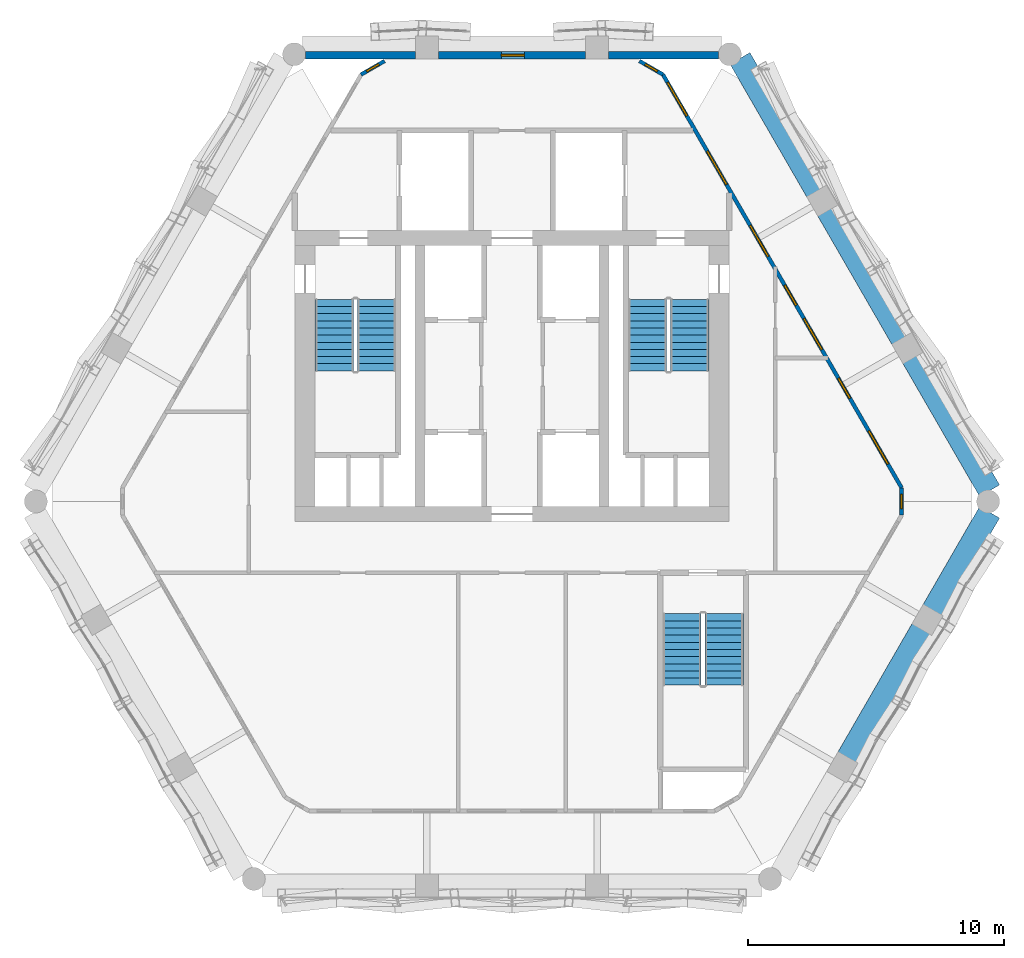
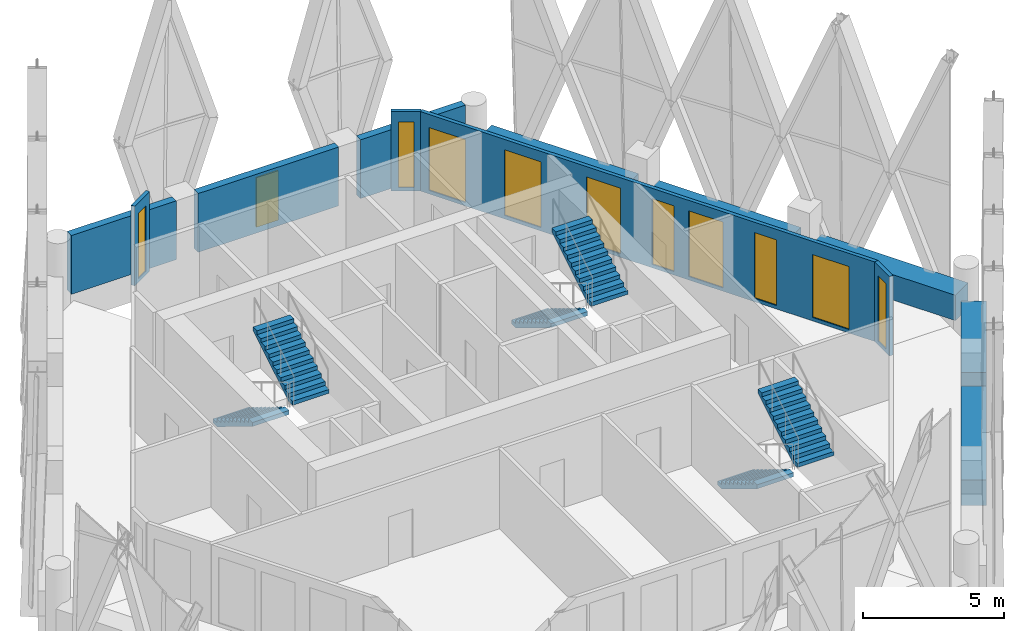
# One storey, part 15 of 21: 12 walls, 11 windows, 6 stair flights, 11 openings, 3 elements without a shape of their own.
"""IFC4 building model written with IfcOpenShell, lengths in metres."""

from ifc_helpers import new_model, si_unit, direction, frame, frame_2d, origin, place, context, subcontext, project, spatial, polyline, rectangle, outline, extrude, material, layer, layer_set, type_object, element, fill, aggregate, save


model = new_model("IFC4")

# Units and contexts
model_context = context("Model", 3, precision=1e-05, world=origin(), true_north=direction((0.0, 1.0)))
body_context = subcontext(model_context, "Body", "Model", "MODEL_VIEW")
ifc_project = project(units=[si_unit("LENGTHUNIT", "METRE"), si_unit("AREAUNIT", "SQUARE_METRE"), si_unit("VOLUMEUNIT", "CUBIC_METRE"), si_unit("PLANEANGLEUNIT", "RADIAN"), si_unit("MASSUNIT", "GRAM", prefix="KILO")], contexts=[model_context])

# Site, building, storey
site_placement = place(None, origin())
site = spatial("IfcSite", under=ifc_project, at=site_placement, CompositionType="ELEMENT")
building_placement = place(site_placement, origin())
building = spatial("IfcBuilding", under=site, at=building_placement, Name="Ostrander Bayou Hotel Tower", CompositionType="ELEMENT")
storey_placement = place(building_placement, frame((0.0, 0.0, 256.25)))
storey = spatial("IfcBuildingStorey", under=building, at=storey_placement, Name="L63", CompositionType="ELEMENT", Elevation=256.25)

# Wall, openings, windows
ifc_material_1 = material(Name="Aluminium framed insulated wall", Category="aluminium")
ifc_layer_1 = layer(ifc_material_1, 0.14990234375)
ifc_layer_set_1 = layer_set([ifc_layer_1], Name="GW1 glass-line wall 150 mm")
wall_type_1 = type_object("IfcWallType", Name="GW1 glass-line wall 150 mm", PredefinedType="SOLIDWALL", material=ifc_layer_set_1)
wall_1_placement = place(storey_placement, frame((15.245849609375, -0.37841796875, 0.0), z_axis=(0.0, 0.0, 1.0), x_axis=(-0.500006153997, 0.866021850744, 0.0)))
wall_1 = element("IfcWall", 1, at=wall_1_placement, inside=storey, type_object=wall_type_1, Name="GW1 L63 NE 1", PredefinedType="SOLIDWALL", context=body_context, shape_type="SweptSolid", body=[
    extrude(rectangle(XDim=18.672607421875, YDim=0.14990234375, at=frame_2d((9.33642578125, 0.0))), origin(), (0.0, 0.0, 1.0), 3.449951171875),
])
opening_1_placement = place(wall_1_placement, frame((4.05078125, 0.0, 0.14990234375)))
opening_1 = element("IfcOpeningElement", 2, at=opening_1_placement, cuts=wall_1, Name="Opening W18", PredefinedType="OPENING", context=body_context, shape_type="SweptSolid", body=[
    extrude(rectangle(XDim=0.89990234375, YDim=2.85009765625, at=frame_2d((0.449951171875, 1.425048828125))), frame((0.0, 0.074951171875, 0.0), z_axis=(0.0, -1.0, 0.0), x_axis=(1.0, 0.0, 0.0)), (0.0, 0.0, 1.0), 0.14990234375),
])
opening_2_placement = place(wall_1_placement, frame((6.250732421875, 0.0, 0.14990234375)))
opening_2 = element("IfcOpeningElement", 3, at=opening_2_placement, cuts=wall_1, Name="Opening W14", PredefinedType="OPENING", context=body_context, shape_type="SweptSolid", body=[
    extrude(rectangle(XDim=1.39990234375, YDim=2.85009765625, at=frame_2d((0.699951171875, 1.425048828125))), frame((0.0, 0.074951171875, 0.0), z_axis=(0.0, -1.0, 0.0), x_axis=(1.0, 0.0, 0.0)), (0.0, 0.0, 1.0), 0.14990234375),
])
opening_3_placement = place(wall_1_placement, frame((8.250732421875, 0.0, 0.14990234375)))
opening_3 = element("IfcOpeningElement", 4, at=opening_3_placement, cuts=wall_1, Name="Opening W18", PredefinedType="OPENING", context=body_context, shape_type="SweptSolid", body=[
    extrude(rectangle(XDim=0.89990234375, YDim=2.85009765625, at=frame_2d((0.449951171875, 1.425048828125))), frame((0.0, 0.074951171875, 0.0), z_axis=(0.0, -1.0, 0.0), x_axis=(1.0, 0.0, 0.0)), (0.0, 0.0, 1.0), 0.14990234375),
])
opening_4_placement = place(wall_1_placement, frame((10.45068359375, 0.0, 0.14990234375)))
opening_4 = element("IfcOpeningElement", 5, at=opening_4_placement, cuts=wall_1, Name="Opening W14", PredefinedType="OPENING", context=body_context, shape_type="SweptSolid", body=[
    extrude(rectangle(XDim=1.39990234375, YDim=2.85009765625, at=frame_2d((0.699951171875, 1.425048828125))), frame((0.0, 0.074951171875, 0.0), z_axis=(0.0, -1.0, 0.0), x_axis=(1.0, 0.0, 0.0)), (0.0, 0.0, 1.0), 0.14990234375),
])
opening_5_placement = place(wall_1_placement, frame((13.712158203125, 0.0, 0.14990234375)))
opening_5 = element("IfcOpeningElement", 6, at=opening_5_placement, cuts=wall_1, Name="Opening W4", PredefinedType="OPENING", context=body_context, shape_type="SweptSolid", body=[
    extrude(rectangle(XDim=1.5, YDim=2.85009765625, at=frame_2d((0.75, 1.425048828125))), frame((0.0, 0.074951171875, 0.0), z_axis=(0.0, -1.0, 0.0), x_axis=(1.0, 0.0, 0.0)), (0.0, 0.0, 1.0), 0.14990234375),
])
opening_6_placement = place(wall_1_placement, frame((1.0751953125, 0.0, 0.14990234375)))
opening_6 = element("IfcOpeningElement", 7, at=opening_6_placement, cuts=wall_1, Name="Opening W4", PredefinedType="OPENING", context=body_context, shape_type="SweptSolid", body=[
    extrude(rectangle(XDim=1.5, YDim=2.72998046875, at=frame_2d((0.75, 1.364990234375))), frame((0.0, 0.074951171875, 0.0), z_axis=(0.0, -1.0, 0.0), x_axis=(1.0, 0.0, 0.0)), (0.0, 0.0, 1.0), 0.14990234375),
])
opening_7_placement = place(wall_1_placement, frame((16.811767578125, 0.0, 0.14990234375)))
opening_7 = element("IfcOpeningElement", 8, at=opening_7_placement, cuts=wall_1, Name="Opening W4", PredefinedType="OPENING", context=body_context, shape_type="SweptSolid", body=[
    extrude(rectangle(XDim=1.5, YDim=2.72998046875, at=frame_2d((0.75, 1.364990234375))), frame((0.0, 0.074951171875, 0.0), z_axis=(0.0, -1.0, 0.0), x_axis=(1.0, 0.0, 0.0)), (0.0, 0.0, 1.0), 0.14990234375),
])
ifc_material_2 = material(Name="Aluminium and clear glass", Category="aluminium")
window_type_1 = type_object("IfcWindowType", Name="W14 fixed window 1400 mm, bath bay, zone 4", PartitioningType="SINGLE_PANEL", PredefinedType="WINDOW", material=ifc_material_2)
window_1_placement = place(opening_2_placement, origin())
window_1 = element("IfcWindow", 9, at=window_1_placement, inside=storey, type_object=window_type_1, Name="W14 L63 NE 2", OverallHeight=2.85009765625, OverallWidth=1.39990234375, PartitioningType="SINGLE_PANEL", PredefinedType="WINDOW", context=body_context, shape_type="SweptSolid", body=[
    extrude(rectangle(XDim=1.39990234375, YDim=2.85009765625, at=frame_2d((0.699951171875, 1.425048828125))), frame((0.0, 0.030029296875, 0.0), z_axis=(0.0, -1.0, 0.0), x_axis=(1.0, 0.0, 0.0)), (0.0, 0.0, 1.0), 0.06005859375),
])
fill(opening_2, window_1)
window_2_placement = place(opening_4_placement, origin())
window_2 = element("IfcWindow", 10, at=window_2_placement, inside=storey, type_object=window_type_1, Name="W14 L63 NE 3", OverallHeight=2.85009765625, OverallWidth=1.39990234375, PartitioningType="SINGLE_PANEL", PredefinedType="WINDOW", context=body_context, shape_type="SweptSolid", body=[
    extrude(rectangle(XDim=1.39990234375, YDim=2.85009765625, at=frame_2d((0.699951171875, 1.425048828125))), frame((0.0, 0.030029296875, 0.0), z_axis=(0.0, -1.0, 0.0), x_axis=(1.0, 0.0, 0.0)), (0.0, 0.0, 1.0), 0.06005859375),
])
fill(opening_4, window_2)
ifc_material_3 = material(Name="Aluminium and clear glass", Category="aluminium")
window_type_2 = type_object("IfcWindowType", Name="W18 window 900 mm, zone 4", PartitioningType="SINGLE_PANEL", PredefinedType="WINDOW", material=ifc_material_3)
window_3_placement = place(opening_1_placement, origin())
window_3 = element("IfcWindow", 11, at=window_3_placement, inside=storey, type_object=window_type_2, Name="W18 L63 NE 2", OverallHeight=2.85009765625, OverallWidth=0.89990234375, PartitioningType="SINGLE_PANEL", PredefinedType="WINDOW", context=body_context, shape_type="SweptSolid", body=[
    extrude(rectangle(XDim=0.89990234375, YDim=2.85009765625, at=frame_2d((0.449951171875, 1.425048828125))), frame((0.0, 0.030029296875, 0.0), z_axis=(0.0, -1.0, 0.0), x_axis=(1.0, 0.0, 0.0)), (0.0, 0.0, 1.0), 0.06005859375),
])
fill(opening_1, window_3)
window_4_placement = place(opening_3_placement, origin())
window_4 = element("IfcWindow", 12, at=window_4_placement, inside=storey, type_object=window_type_2, Name="W18 L63 NE 3", OverallHeight=2.85009765625, OverallWidth=0.89990234375, PartitioningType="SINGLE_PANEL", PredefinedType="WINDOW", context=body_context, shape_type="SweptSolid", body=[
    extrude(rectangle(XDim=0.89990234375, YDim=2.85009765625, at=frame_2d((0.449951171875, 1.425048828125))), frame((0.0, 0.030029296875, 0.0), z_axis=(0.0, -1.0, 0.0), x_axis=(1.0, 0.0, 0.0)), (0.0, 0.0, 1.0), 0.06005859375),
])
fill(opening_3, window_4)
ifc_material_4 = material(Name="Aluminium and clear glass", Category="aluminium")
window_type_3 = type_object("IfcWindowType", Name="W4 fixed window 1500 mm, zone 4", PartitioningType="SINGLE_PANEL", PredefinedType="WINDOW", material=ifc_material_4)
window_5_placement = place(opening_5_placement, origin())
window_5 = element("IfcWindow", 13, at=window_5_placement, inside=storey, type_object=window_type_3, Name="W4 L63 NE 4", OverallHeight=2.85009765625, OverallWidth=1.5, PartitioningType="SINGLE_PANEL", PredefinedType="WINDOW", context=body_context, shape_type="SweptSolid", body=[
    extrude(rectangle(XDim=1.5, YDim=2.85009765625, at=frame_2d((0.75, 1.425048828125))), frame((0.0, 0.030029296875, 0.0), z_axis=(0.0, -1.0, 0.0), x_axis=(1.0, 0.0, 0.0)), (0.0, 0.0, 1.0), 0.06005859375),
])
fill(opening_5, window_5)
window_6_placement = place(opening_6_placement, origin())
window_6 = element("IfcWindow", 14, at=window_6_placement, inside=storey, type_object=window_type_3, Name="W4 L63 NE E11", OverallHeight=2.72998046875, OverallWidth=1.5, PartitioningType="SINGLE_PANEL", PredefinedType="WINDOW", context=body_context, shape_type="SweptSolid", body=[
    extrude(rectangle(XDim=1.5, YDim=2.72998046875, at=frame_2d((0.75, 1.364990234375))), frame((0.0, 0.030029296875, 0.0), z_axis=(0.0, -1.0, 0.0), x_axis=(1.0, 0.0, 0.0)), (0.0, 0.0, 1.0), 0.06005859375),
])
fill(opening_6, window_6)
window_7_placement = place(opening_7_placement, origin())
window_7 = element("IfcWindow", 15, at=window_7_placement, inside=storey, type_object=window_type_3, Name="W4 L63 NE E21", OverallHeight=2.72998046875, OverallWidth=1.5, PartitioningType="SINGLE_PANEL", PredefinedType="WINDOW", context=body_context, shape_type="SweptSolid", body=[
    extrude(rectangle(XDim=1.5, YDim=2.72998046875, at=frame_2d((0.75, 1.364990234375))), frame((0.0, 0.030029296875, 0.0), z_axis=(0.0, -1.0, 0.0), x_axis=(1.0, 0.0, 0.0)), (0.0, 0.0, 1.0), 0.06005859375),
])
fill(opening_7, window_7)

# Wall, opening, window
wall_2_placement = place(storey_placement, frame((-4.9873046875, 16.324951171875, 0.0), z_axis=(0.0, 0.0, 1.0), x_axis=(-0.865990848561, -0.500059846627, 0.0)))
wall_2 = element("IfcWall", 16, at=wall_2_placement, inside=storey, type_object=wall_type_1, Name="GW1 L63 corner 1", PredefinedType="SOLIDWALL", context=body_context, shape_type="SweptSolid", body=[
    extrude(rectangle(XDim=1.064697265625, YDim=0.14990234375, at=frame_2d((0.5322265625, 0.0))), origin(), (0.0, 0.0, 1.0), 3.449951171875),
])
opening_8_placement = place(wall_2_placement, frame((0.257568359375, 0.0, 0.14990234375)))
opening_8 = element("IfcOpeningElement", 17, at=opening_8_placement, cuts=wall_2, Name="Opening W19", PredefinedType="OPENING", context=body_context, shape_type="SweptSolid", body=[
    extrude(rectangle(XDim=0.550048828125, YDim=2.85009765625, at=frame_2d((0.27490234375, 1.425048828125))), frame((0.0, 0.074951171875, 0.0), z_axis=(0.0, -1.0, 0.0), x_axis=(1.0, 0.0, 0.0)), (0.0, 0.0, 1.0), 0.14990234375),
])
ifc_material_5 = material(Name="Aluminium and clear glass", Category="aluminium")
window_type_4 = type_object("IfcWindowType", Name="W19 corner window 550 mm", PartitioningType="SINGLE_PANEL", PredefinedType="WINDOW", material=ifc_material_5)
window_8_placement = place(opening_8_placement, origin())
window_8 = element("IfcWindow", 18, at=window_8_placement, inside=storey, type_object=window_type_4, Name="W19 L63 corner 1", OverallHeight=2.85009765625, OverallWidth=0.550048828125, PartitioningType="SINGLE_PANEL", PredefinedType="WINDOW", context=body_context, shape_type="SweptSolid", body=[
    extrude(rectangle(XDim=0.550048828125, YDim=2.85009765625, at=frame_2d((0.27490234375, 1.425048828125))), frame((0.0, 0.030029296875, 0.0), z_axis=(0.0, -1.0, 0.0), x_axis=(1.0, 0.0, 0.0)), (0.0, 0.0, 1.0), 0.06005859375),
])
fill(opening_8, window_8)

wall_3_placement = place(storey_placement, frame((15.245849609375, -1.443603515625, 0.0), z_axis=(0.0, 0.0, 1.0), x_axis=(0.0, 1.0, 0.0)))
wall_3 = element("IfcWall", 19, at=wall_3_placement, inside=storey, type_object=wall_type_1, Name="GW1 L63 corner 5", PredefinedType="SOLIDWALL", context=body_context, shape_type="SweptSolid", body=[
    extrude(rectangle(XDim=1.065185546875, YDim=0.14990234375, at=frame_2d((0.53271484375, 0.0))), origin(), (0.0, 0.0, 1.0), 3.449951171875),
])
opening_9_placement = place(wall_3_placement, frame((0.257568359375, 0.0, 0.14990234375)))
opening_9 = element("IfcOpeningElement", 20, at=opening_9_placement, cuts=wall_3, Name="Opening W19", PredefinedType="OPENING", context=body_context, shape_type="SweptSolid", body=[
    extrude(rectangle(XDim=0.550048828125, YDim=2.85009765625, at=frame_2d((0.27490234375, 1.425048828125))), frame((0.0, 0.074951171875, 0.0), z_axis=(0.0, -1.0, 0.0), x_axis=(1.0, 0.0, 0.0)), (0.0, 0.0, 1.0), 0.14990234375),
])
window_9_placement = place(opening_9_placement, origin())
window_9 = element("IfcWindow", 21, at=window_9_placement, inside=storey, type_object=window_type_4, Name="W19 L63 corner 5", OverallHeight=2.85009765625, OverallWidth=0.550048828125, PartitioningType="SINGLE_PANEL", PredefinedType="WINDOW", context=body_context, shape_type="SweptSolid", body=[
    extrude(rectangle(XDim=0.550048828125, YDim=2.85009765625, at=frame_2d((0.27490234375, 1.425048828125))), frame((0.0, 0.030029296875, 0.0), z_axis=(0.0, -1.0, 0.0), x_axis=(1.0, 0.0, 0.0)), (0.0, 0.0, 1.0), 0.06005859375),
])
fill(opening_9, window_9)

wall_4_placement = place(storey_placement, frame((5.909423828125, 15.79248046875, 0.0), z_axis=(0.0, 0.0, 1.0), x_axis=(-0.865990848561, 0.500059846627, 0.0)))
wall_4 = element("IfcWall", 22, at=wall_4_placement, inside=storey, type_object=wall_type_1, Name="GW1 L63 corner 6", PredefinedType="SOLIDWALL", context=body_context, shape_type="SweptSolid", body=[
    extrude(rectangle(XDim=1.064697265625, YDim=0.14990234375, at=frame_2d((0.5322265625, 0.0))), origin(), (0.0, 0.0, 1.0), 3.449951171875),
])
opening_10_placement = place(wall_4_placement, frame((0.257568359375, 0.0, 0.14990234375)))
opening_10 = element("IfcOpeningElement", 23, at=opening_10_placement, cuts=wall_4, Name="Opening W19", PredefinedType="OPENING", context=body_context, shape_type="SweptSolid", body=[
    extrude(rectangle(XDim=0.550048828125, YDim=2.85009765625, at=frame_2d((0.27490234375, 1.425048828125))), frame((0.0, 0.074951171875, 0.0), z_axis=(0.0, -1.0, 0.0), x_axis=(1.0, 0.0, 0.0)), (0.0, 0.0, 1.0), 0.14990234375),
])
window_10_placement = place(opening_10_placement, origin())
window_10 = element("IfcWindow", 24, at=window_10_placement, inside=storey, type_object=window_type_4, Name="W19 L63 corner 6", OverallHeight=2.85009765625, OverallWidth=0.550048828125, PartitioningType="SINGLE_PANEL", PredefinedType="WINDOW", context=body_context, shape_type="SweptSolid", body=[
    extrude(rectangle(XDim=0.550048828125, YDim=2.85009765625, at=frame_2d((0.27490234375, 1.425048828125))), frame((0.0, 0.030029296875, 0.0), z_axis=(0.0, -1.0, 0.0), x_axis=(1.0, 0.0, 0.0)), (0.0, 0.0, 1.0), 0.06005859375),
])
fill(opening_10, window_10)

# Wall
ifc_material_6 = material(Name="Reconstituted stone on masonry backing", Category="masonry")
ifc_layer_2 = layer(ifc_material_6, 0.300048828125)
ifc_layer_set_2 = layer_set([ifc_layer_2], Name="NW1 north stone wall 300 mm")
wall_type_2 = type_object("IfcWallType", Name="NW1 north stone wall 300 mm", PredefinedType="SOLIDWALL", material=ifc_layer_set_2)
wall_5_placement = place(storey_placement, frame((8.079345703125, 16.550048828125, 0.0), z_axis=(0.0, 0.0, 1.0), x_axis=(-1.0, 0.0, 0.0)))
element("IfcWall", 25, at=wall_5_placement, inside=storey, type_object=wall_type_2, Name="NW1 L63 N-1", PredefinedType="SOLIDWALL", context=body_context, shape_type="SweptSolid", body=[
    extrude(rectangle(XDim=4.300048828125, YDim=0.300048828125, at=frame_2d((2.14990234375, 0.0))), origin(), (0.0, 0.0, 1.0), 2.550048828125),
])

# Wall, opening, window
wall_6_placement = place(storey_placement, frame((2.87939453125, 16.550048828125, 0.0), z_axis=(0.0, 0.0, 1.0), x_axis=(-1.0, 0.0, 0.0)))
wall_6 = element("IfcWall", 26, at=wall_6_placement, inside=storey, type_object=wall_type_2, Name="NW1 L63 N-2", PredefinedType="SOLIDWALL", context=body_context, shape_type="SweptSolid", body=[
    extrude(rectangle(XDim=5.7587890625, YDim=0.300048828125, at=frame_2d((2.87939453125, 0.0))), origin(), (0.0, 0.0, 1.0), 2.550048828125),
])
opening_11_placement = place(wall_6_placement, frame((2.39990234375, 0.0, 0.14990234375)))
opening_11 = element("IfcOpeningElement", 27, at=opening_11_placement, cuts=wall_6, Name="Opening W18", PredefinedType="OPENING", context=body_context, shape_type="SweptSolid", body=[
    extrude(rectangle(XDim=0.89990234375, YDim=2.14990234375, at=frame_2d((0.449951171875, 1.074951171875))), frame((0.0, 0.14990234375, 0.0), z_axis=(0.0, -1.0, 0.0), x_axis=(1.0, 0.0, 0.0)), (0.0, 0.0, 1.0), 0.300048828125),
])
window_11_placement = place(opening_11_placement, origin())
window_11 = element("IfcWindow", 28, at=window_11_placement, inside=storey, type_object=window_type_2, Name="W18 L63 north N-2", OverallHeight=2.14990234375, OverallWidth=0.89990234375, PartitioningType="SINGLE_PANEL", PredefinedType="WINDOW", context=body_context, shape_type="SweptSolid", body=[
    extrude(rectangle(XDim=0.89990234375, YDim=2.14990234375, at=frame_2d((0.449951171875, 1.074951171875))), frame((0.0, 0.030029296875, 0.0), z_axis=(0.0, -1.0, 0.0), x_axis=(1.0, 0.0, 0.0)), (0.0, 0.0, 1.0), 0.06005859375),
])
fill(opening_11, window_11)

# Walls
wall_7_placement = place(storey_placement, frame((-3.779296875, 16.550048828125, 0.0), z_axis=(0.0, 0.0, 1.0), x_axis=(-1.0, 0.0, 0.0)))
element("IfcWall", 29, at=wall_7_placement, inside=storey, type_object=wall_type_2, Name="NW1 L63 N-3", PredefinedType="SOLIDWALL", context=body_context, shape_type="SweptSolid", body=[
    extrude(rectangle(XDim=4.300048828125, YDim=0.300048828125, at=frame_2d((2.14990234375, 0.0))), origin(), (0.0, 0.0, 1.0), 2.550048828125),
])
ifc_material_7 = material(Name="Concrete f'c 40 MPa", Category="concrete")
ifc_layer_3 = layer(ifc_material_7, 0.89990234375)
ifc_layer_set_3 = layer_set([ifc_layer_3], Name="PA1 stone-faced parapet 900 mm")
wall_type_3 = type_object("IfcWallType", Name="PA1 stone-faced parapet 900 mm", PredefinedType="PARAPET", material=ifc_layer_set_3)
wall_8_placement = place(storey_placement, frame((18.68701171875, -0.489013671875, 0.0), z_axis=(0.0, 0.0, 1.0), x_axis=(-0.499996383721, 0.866027491634, 0.0)))
element("IfcWall", 30, at=wall_8_placement, inside=storey, type_object=wall_type_3, Name="PA1 L63 NE-1", PredefinedType="PARAPET", context=body_context, shape_type="SweptSolid", body=[
    extrude(rectangle(XDim=6.017578125, YDim=0.89990234375, at=frame_2d((3.0087890625, 0.0))), origin(), (0.0, 0.0, 1.0), 1.10009765625),
])
wall_9_placement = place(storey_placement, frame((15.25830078125, 5.449951171875, 0.0), z_axis=(0.0, 0.0, 1.0), x_axis=(-0.500015433515, 0.866016493057, 0.0)))
element("IfcWall", 31, at=wall_9_placement, inside=storey, type_object=wall_type_3, Name="PA1 L63 NE-2", PredefinedType="PARAPET", context=body_context, shape_type="SweptSolid", body=[
    extrude(rectangle(XDim=5.818603515625, YDim=0.89990234375, at=frame_2d((2.9091796875, 0.0))), origin(), (0.0, 0.0, 1.0), 1.10009765625),
])
wall_10_placement = place(storey_placement, frame((11.928955078125, 11.216552734375, 0.0), z_axis=(0.0, 0.0, 1.0), x_axis=(-0.500026811154, 0.866009923804, 0.0)))
element("IfcWall", 32, at=wall_10_placement, inside=storey, type_object=wall_type_3, Name="PA1 L63 NE-3", PredefinedType="PARAPET", context=body_context, shape_type="SweptSolid", body=[
    extrude(rectangle(XDim=6.017822265625, YDim=0.89990234375, at=frame_2d((3.0087890625, 0.0))), origin(), (0.0, 0.0, 1.0), 1.10009765625),
])
ifc_material_8 = material(Name="Limestone masonry", Category="masonry")
ifc_layer_4 = layer(ifc_material_8, 0.89990234375)
ifc_layer_set_4 = layer_set([ifc_layer_4], Name="PA2 limestone parapet 900 mm")
wall_type_4 = type_object("IfcWallType", Name="PA2 limestone parapet 900 mm", PredefinedType="PARAPET", material=ifc_layer_set_4)
wall_11_placement = place(storey_placement, frame((13.1376953125, -10.944580078125, 0.0), z_axis=(0.0, 0.0, 1.0), x_axis=(0.500015433515, 0.866016493057, 0.0)))
element("IfcWall", 33, at=wall_11_placement, inside=storey, type_object=wall_type_4, Name="PA2 L63 SE-2", PredefinedType="PARAPET", context=body_context, shape_type="SweptSolid", body=[
    extrude(rectangle(XDim=5.818603515625, YDim=0.89990234375, at=frame_2d((2.9091796875, 0.0))), origin(), (0.0, 0.0, 1.0), 1.10009765625),
])
wall_12_placement = place(storey_placement, frame((16.46728515625, -5.177978515625, 0.0), z_axis=(0.0, 0.0, 1.0), x_axis=(0.499971567444, 0.866041818706, 0.0)))
element("IfcWall", 34, at=wall_12_placement, inside=storey, type_object=wall_type_4, Name="PA2 L63 SE-3", PredefinedType="PARAPET", context=body_context, shape_type="SweptSolid", body=[
    extrude(rectangle(XDim=4.439697265625, YDim=0.89990234375, at=frame_2d((2.2197265625, 0.0))), origin(), (0.0, 0.0, 1.0), 1.10009765625),
])

# Stair, stair flights
ifc_material_9 = material(Name="Concrete f'c 45 MPa", Category="concrete")
stair_type = type_object("IfcStairType", Name="ST1 exit stair 1500 mm f'c 45 MPa", PredefinedType="HALF_TURN_STAIR", material=ifc_material_9)
stair_1_placement = place(storey_placement, origin())
stair_1 = element("IfcStair", 35, at=stair_1_placement, inside=storey, type_object=stair_type, Name="L63 exit stair A", PredefinedType="HALF_TURN_STAIR")
ifc_material_10 = material(Name="Concrete f'c 45 MPa", Category="concrete")
stair_flight_type = type_object("IfcStairFlightType", Name="SF1 stair flight 1500 mm f'c 45 MPa", PredefinedType="STRAIGHT", material=ifc_material_10)
stair_flight_1_placement = place(storey_placement, frame((-6.949951171875, 7.0, 0.0), z_axis=(0.0, 0.0, 1.0), x_axis=(0.0, -1.0, 0.0)))
stair_flight_1 = element("IfcStairFlight", 36, at=stair_flight_1_placement, type_object=stair_flight_type, Name="STA flight 1", NumberOfRisers=11, NumberOfTreads=10, PredefinedType="STRAIGHT", RiserHeight=0.170454545, TreadLength=0.28, context=body_context, shape_type="SweptSolid", body=[
    extrude(outline(polyline([(0.0, 0.0), (0.0, 0.17041015625), (0.280029296875, 0.17041015625), (0.280029296875, 0.3408203125), (0.56005859375, 0.3408203125), (0.56005859375, 0.511474609375), (0.840087890625, 0.511474609375), (0.840087890625, 0.681884765625), (1.1201171875, 0.681884765625), (1.1201171875, 0.852294921875), (1.39990234375, 0.852294921875), (1.39990234375, 1.022705078125), (1.679931640625, 1.022705078125), (1.679931640625, 1.193115234375), (1.9599609375, 1.193115234375), (1.9599609375, 1.363525390625), (2.239990234375, 1.363525390625), (2.239990234375, 1.5341796875), (2.52001953125, 1.5341796875), (2.52001953125, 1.70458984375), (2.800048828125, 1.70458984375), (2.800048828125, 1.875), (2.800048828125, 1.529052734375), (0.288330078125, 0.0), (0.0, 0.0)])), frame((0.0, 0.75, 0.0), z_axis=(0.0, -1.0, 0.0), x_axis=(1.0, 0.0, 0.0)), (0.0, 0.0, 1.0), 1.5),
])
stair_flight_2_placement = place(storey_placement, frame((-5.300048828125, 4.199951171875, 1.875), z_axis=(0.0, 0.0, 1.0), x_axis=(0.0, 1.0, 0.0)))
stair_flight_2 = element("IfcStairFlight", 37, at=stair_flight_2_placement, type_object=stair_flight_type, Name="STA flight 2", NumberOfRisers=11, NumberOfTreads=10, PredefinedType="STRAIGHT", RiserHeight=0.170454545, TreadLength=0.28, context=body_context, shape_type="SweptSolid", body=[
    extrude(outline(polyline([(0.0, 0.0), (0.0, 0.17041015625), (0.280029296875, 0.17041015625), (0.280029296875, 0.3408203125), (0.56005859375, 0.3408203125), (0.56005859375, 0.511474609375), (0.840087890625, 0.511474609375), (0.840087890625, 0.681884765625), (1.1201171875, 0.681884765625), (1.1201171875, 0.852294921875), (1.39990234375, 0.852294921875), (1.39990234375, 1.022705078125), (1.679931640625, 1.022705078125), (1.679931640625, 1.193115234375), (1.9599609375, 1.193115234375), (1.9599609375, 1.363525390625), (2.239990234375, 1.363525390625), (2.239990234375, 1.5341796875), (2.52001953125, 1.5341796875), (2.52001953125, 1.70458984375), (2.800048828125, 1.70458984375), (2.800048828125, 1.875), (2.800048828125, 1.529052734375), (0.288330078125, 0.0), (0.0, 0.0)])), frame((0.0, 0.75, 0.0), z_axis=(0.0, -1.0, 0.0), x_axis=(1.0, 0.0, 0.0)), (0.0, 0.0, 1.0), 1.5),
])
aggregate(stair_1, [stair_flight_1, stair_flight_2])

stair_2_placement = place(storey_placement, origin())
stair_2 = element("IfcStair", 38, at=stair_2_placement, inside=storey, type_object=stair_type, Name="L63 exit stair B", PredefinedType="HALF_TURN_STAIR")
stair_flight_3_placement = place(storey_placement, frame((5.300048828125, 7.0, 0.0), z_axis=(0.0, 0.0, 1.0), x_axis=(0.0, -1.0, 0.0)))
stair_flight_3 = element("IfcStairFlight", 39, at=stair_flight_3_placement, type_object=stair_flight_type, Name="STB flight 1", NumberOfRisers=11, NumberOfTreads=10, PredefinedType="STRAIGHT", RiserHeight=0.170454545, TreadLength=0.28, context=body_context, shape_type="SweptSolid", body=[
    extrude(outline(polyline([(0.0, 0.0), (0.0, 0.17041015625), (0.280029296875, 0.17041015625), (0.280029296875, 0.3408203125), (0.56005859375, 0.3408203125), (0.56005859375, 0.511474609375), (0.840087890625, 0.511474609375), (0.840087890625, 0.681884765625), (1.1201171875, 0.681884765625), (1.1201171875, 0.852294921875), (1.39990234375, 0.852294921875), (1.39990234375, 1.022705078125), (1.679931640625, 1.022705078125), (1.679931640625, 1.193115234375), (1.9599609375, 1.193115234375), (1.9599609375, 1.363525390625), (2.239990234375, 1.363525390625), (2.239990234375, 1.5341796875), (2.52001953125, 1.5341796875), (2.52001953125, 1.70458984375), (2.800048828125, 1.70458984375), (2.800048828125, 1.875), (2.800048828125, 1.529052734375), (0.288330078125, 0.0), (0.0, 0.0)])), frame((0.0, 0.75, 0.0), z_axis=(0.0, -1.0, 0.0), x_axis=(1.0, 0.0, 0.0)), (0.0, 0.0, 1.0), 1.5),
])
stair_flight_4_placement = place(storey_placement, frame((6.949951171875, 4.199951171875, 1.875), z_axis=(0.0, 0.0, 1.0), x_axis=(0.0, 1.0, 0.0)))
stair_flight_4 = element("IfcStairFlight", 40, at=stair_flight_4_placement, type_object=stair_flight_type, Name="STB flight 2", NumberOfRisers=11, NumberOfTreads=10, PredefinedType="STRAIGHT", RiserHeight=0.170454545, TreadLength=0.28, context=body_context, shape_type="SweptSolid", body=[
    extrude(outline(polyline([(0.0, 0.0), (0.0, 0.17041015625), (0.280029296875, 0.17041015625), (0.280029296875, 0.3408203125), (0.56005859375, 0.3408203125), (0.56005859375, 0.511474609375), (0.840087890625, 0.511474609375), (0.840087890625, 0.681884765625), (1.1201171875, 0.681884765625), (1.1201171875, 0.852294921875), (1.39990234375, 0.852294921875), (1.39990234375, 1.022705078125), (1.679931640625, 1.022705078125), (1.679931640625, 1.193115234375), (1.9599609375, 1.193115234375), (1.9599609375, 1.363525390625), (2.239990234375, 1.363525390625), (2.239990234375, 1.5341796875), (2.52001953125, 1.5341796875), (2.52001953125, 1.70458984375), (2.800048828125, 1.70458984375), (2.800048828125, 1.875), (2.800048828125, 1.529052734375), (0.288330078125, 0.0), (0.0, 0.0)])), frame((0.0, 0.75, 0.0), z_axis=(0.0, -1.0, 0.0), x_axis=(1.0, 0.0, 0.0)), (0.0, 0.0, 1.0), 1.5),
])
aggregate(stair_2, [stair_flight_3, stair_flight_4])

stair_3_placement = place(storey_placement, origin())
stair_3 = element("IfcStair", 41, at=stair_3_placement, inside=storey, type_object=stair_type, Name="L63 exit stair C", PredefinedType="HALF_TURN_STAIR")
stair_flight_5_placement = place(storey_placement, frame((6.64990234375, -5.300048828125, 0.0), z_axis=(0.0, 0.0, 1.0), x_axis=(0.0, -1.0, 0.0)))
stair_flight_5 = element("IfcStairFlight", 42, at=stair_flight_5_placement, type_object=stair_flight_type, Name="STC flight 1", NumberOfRisers=11, NumberOfTreads=10, PredefinedType="STRAIGHT", RiserHeight=0.170454545, TreadLength=0.28, context=body_context, shape_type="SweptSolid", body=[
    extrude(outline(polyline([(0.0, 0.0), (0.0, 0.17041015625), (0.280029296875, 0.17041015625), (0.280029296875, 0.3408203125), (0.56005859375, 0.3408203125), (0.56005859375, 0.511474609375), (0.840087890625, 0.511474609375), (0.840087890625, 0.681884765625), (1.1201171875, 0.681884765625), (1.1201171875, 0.852294921875), (1.39990234375, 0.852294921875), (1.39990234375, 1.022705078125), (1.679931640625, 1.022705078125), (1.679931640625, 1.193115234375), (1.9599609375, 1.193115234375), (1.9599609375, 1.363525390625), (2.239990234375, 1.363525390625), (2.239990234375, 1.5341796875), (2.52001953125, 1.5341796875), (2.52001953125, 1.70458984375), (2.800048828125, 1.70458984375), (2.800048828125, 1.875), (2.800048828125, 1.529052734375), (0.288330078125, 0.0), (0.0, 0.0)])), frame((0.0, 0.75, 0.0), z_axis=(0.0, -1.0, 0.0), x_axis=(1.0, 0.0, 0.0)), (0.0, 0.0, 1.0), 1.5),
])
stair_flight_6_placement = place(storey_placement, frame((8.300048828125, -8.10009765625, 1.875), z_axis=(0.0, 0.0, 1.0), x_axis=(0.0, 1.0, 0.0)))
stair_flight_6 = element("IfcStairFlight", 43, at=stair_flight_6_placement, type_object=stair_flight_type, Name="STC flight 2", NumberOfRisers=11, NumberOfTreads=10, PredefinedType="STRAIGHT", RiserHeight=0.170454545, TreadLength=0.28, context=body_context, shape_type="SweptSolid", body=[
    extrude(outline(polyline([(0.0, 0.0), (0.0, 0.17041015625), (0.280029296875, 0.17041015625), (0.280029296875, 0.3408203125), (0.56005859375, 0.3408203125), (0.56005859375, 0.511474609375), (0.840087890625, 0.511474609375), (0.840087890625, 0.681884765625), (1.1201171875, 0.681884765625), (1.1201171875, 0.852294921875), (1.39990234375, 0.852294921875), (1.39990234375, 1.022705078125), (1.679931640625, 1.022705078125), (1.679931640625, 1.193115234375), (1.9599609375, 1.193115234375), (1.9599609375, 1.363525390625), (2.239990234375, 1.363525390625), (2.239990234375, 1.5341796875), (2.52001953125, 1.5341796875), (2.52001953125, 1.70458984375), (2.800048828125, 1.70458984375), (2.800048828125, 1.875), (2.800048828125, 1.529052734375), (0.288330078125, 0.0), (0.0, 0.0)])), frame((0.0, 0.75, 0.0), z_axis=(0.0, -1.0, 0.0), x_axis=(1.0, 0.0, 0.0)), (0.0, 0.0, 1.0), 1.5),
])
aggregate(stair_3, [stair_flight_5, stair_flight_6])

save(model, "model.ifc")
